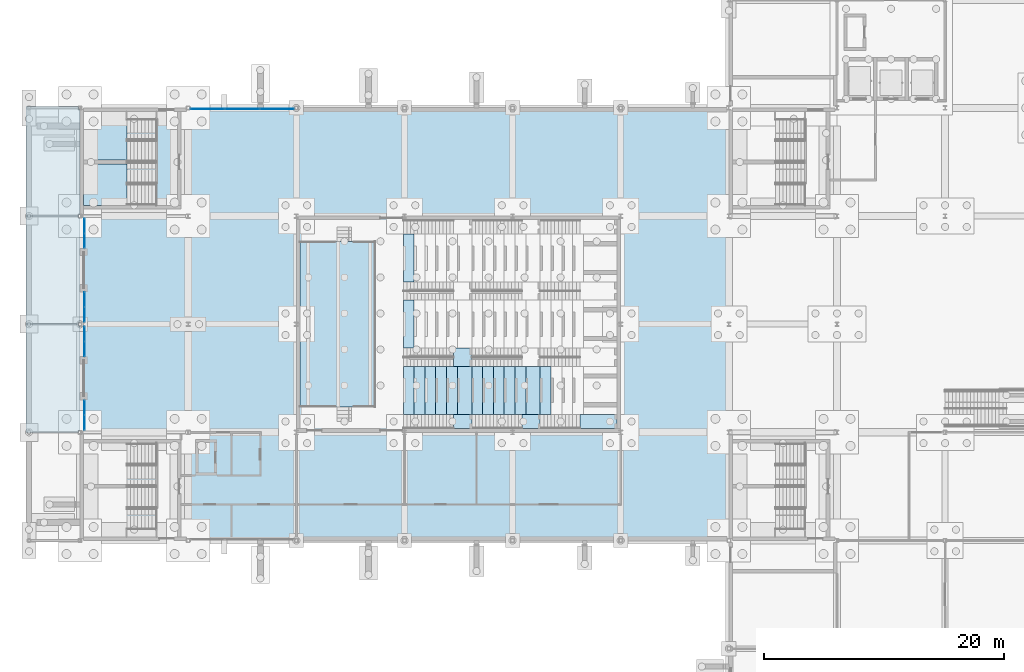
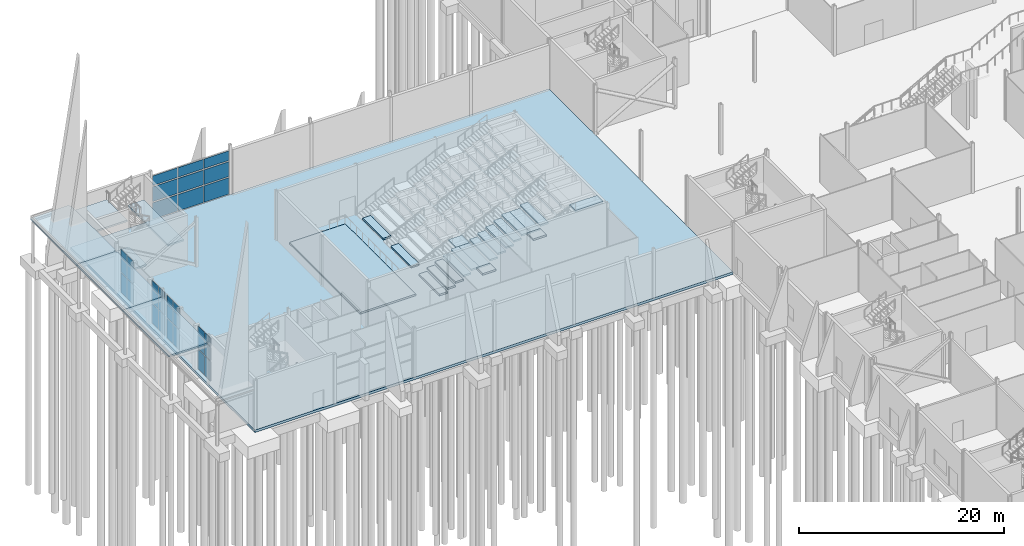
# One storey, part 91 of 139: 33 plates, 27 slabs, 8 elements without a shape of their own.
"""IFC4 building model written with IfcOpenShell, lengths in metres."""

from ifc_helpers import new_model, si_unit, direction, frame, origin, origin_2d, place, context, subcontext, project, spatial, polyline, rectangle, outline, extrude, material, layer, layer_set, type_object, element, aggregate, save


model = new_model("IFC4")

# Units and contexts
model_context = context("Model", 3, precision=1e-05, world=origin(), true_north=direction((0.0, 1.0)))
body_context = subcontext(model_context, "Body", "Model", "MODEL_VIEW")
ifc_project = project(units=[si_unit("LENGTHUNIT", "METRE"), si_unit("AREAUNIT", "SQUARE_METRE"), si_unit("VOLUMEUNIT", "CUBIC_METRE"), si_unit("PLANEANGLEUNIT", "RADIAN"), si_unit("MASSUNIT", "GRAM", prefix="KILO")], contexts=[model_context])

# Site, building, storey
site_placement = place(None, origin())
site = spatial("IfcSite", under=ifc_project, at=site_placement, CompositionType="ELEMENT")
building_placement = place(site_placement, origin())
building = spatial("IfcBuilding", under=site, at=building_placement, Name="Shorebreak Coast Museum", CompositionType="ELEMENT")
storey_placement = place(building_placement, origin())
storey = spatial("IfcBuildingStorey", under=building, at=storey_placement, Name="L00", CompositionType="ELEMENT", Elevation=0.0)

# Stair, slabs
ifc_material_1 = material(Name="Concrete N40 (40 MPa)", Category="concrete")
stair_type_1 = type_object("IfcStairType", Name="Aisle stair 1200", PredefinedType="STRAIGHT_RUN_STAIR", material=ifc_material_1)
stair_1_placement = place(storey_placement, origin())
stair_1 = element("IfcStair", 1, at=stair_1_placement, inside=storey, type_object=stair_type_1, Name="Aisle stair 1", PredefinedType="STRAIGHT_RUN_STAIR")
ifc_material_2 = material(Name="Concrete N40 (40 MPa)", Category="concrete")
ifc_layer_1 = layer(ifc_material_2, 0.199951171875)
ifc_layer_set_1 = layer_set([ifc_layer_1], Name="Concrete N40 (40 MPa)")
slab_type_1 = type_object("IfcSlabType", Name="Aisle landing 200", PredefinedType="LANDING", material=ifc_layer_set_1)
slab_1_placement = place(storey_placement, frame((0.0, 0.0, 1.94287109375)))
slab_1 = element("IfcSlab", 2, at=slab_1_placement, type_object=slab_type_1, Name="STA-1 landing 1", PredefinedType="LANDING", context=body_context, shape_type="SweptSolid", body=[
    extrude(outline(polyline([(31.10009765625, 63.300048828125), (32.60009765625, 63.300048828125), (32.60009765625, 64.5), (31.10009765625, 64.5), (31.10009765625, 63.300048828125)])), origin(), (0.0, 0.0, 1.0), 0.199951171875),
])
slab_2_placement = place(storey_placement, frame((0.0, 0.0, 4.085693359375)))
slab_2 = element("IfcSlab", 3, at=slab_2_placement, type_object=slab_type_1, Name="STA-1 landing 2", PredefinedType="LANDING", context=body_context, shape_type="SweptSolid", body=[
    extrude(outline(polyline([(36.800048828125, 63.300048828125), (38.300048828125, 63.300048828125), (38.300048828125, 64.5), (36.800048828125, 64.5), (36.800048828125, 63.300048828125)])), origin(), (0.0, 0.0, 1.0), 0.199951171875),
])
slab_3_placement = place(storey_placement, frame((0.0, 0.0, 5.800048828125)))
slab_3 = element("IfcSlab", 4, at=slab_3_placement, type_object=slab_type_1, Name="STA-1 landing 3", PredefinedType="LANDING", context=body_context, shape_type="SweptSolid", body=[
    extrude(outline(polyline([(41.60009765625, 63.300048828125), (44.699951171875, 63.300048828125), (44.699951171875, 64.5), (41.60009765625, 64.5), (41.60009765625, 63.300048828125)])), origin(), (0.0, 0.0, 1.0), 0.199951171875),
])
aggregate(stair_1, [slab_1, slab_2, slab_3])

# Stair, slab
ifc_material_3 = material(Name="Concrete N40 (40 MPa)", Category="concrete")
stair_type_2 = type_object("IfcStairType", Name="Aisle stair 1500", PredefinedType="STRAIGHT_RUN_STAIR", material=ifc_material_3)
stair_2_placement = place(storey_placement, origin())
stair_2 = element("IfcStair", 5, at=stair_2_placement, inside=storey, type_object=stair_type_2, Name="Aisle stair 2", PredefinedType="STRAIGHT_RUN_STAIR")
slab_4_placement = place(storey_placement, frame((0.0, 0.0, 1.94287109375)))
slab_4 = element("IfcSlab", 6, at=slab_4_placement, type_object=slab_type_1, Name="STA-2 landing 1", PredefinedType="LANDING", context=body_context, shape_type="SweptSolid", body=[
    extrude(outline(polyline([(31.10009765625, 68.5), (32.60009765625, 68.5), (32.60009765625, 70.0), (31.10009765625, 70.0), (31.10009765625, 68.5)])), origin(), (0.0, 0.0, 1.0), 0.199951171875),
])
aggregate(stair_2, [slab_4])

# Slabs
ifc_material_4 = material(Name="Concrete N50 (50 MPa)", Category="concrete")
ifc_layer_2 = layer(ifc_material_4, 0.199951171875)
ifc_layer_set_2 = layer_set([ifc_layer_2], Name="Concrete N50 (50 MPa)")
slab_type_2 = type_object("IfcSlabType", Name="Arcade roof slab 200 concrete N50", PredefinedType="ROOF", material=ifc_layer_set_2)
slab_5_placement = place(storey_placement, frame((0.0, 0.0, 4.800048828125)))
element("IfcSlab", 7, at=slab_5_placement, inside=storey, type_object=slab_type_2, Name="Arcade roof slab west 2", PredefinedType="ROOF", context=body_context, shape_type="SweptSolid", body=[
    extrude(outline(polyline([(-4.5, 63.0), (-4.5, 72.0), (-0.14990234375, 72.0), (-0.14990234375, 71.85009765625), (0.0, 71.85009765625), (0.0, 63.14990234375), (-0.14990234375, 63.14990234375), (-0.14990234375, 63.0), (-4.5, 63.0)])), origin(), (0.0, 0.0, 1.0), 0.199951171875),
])
slab_6_placement = place(storey_placement, frame((0.0, 0.0, 4.800048828125)))
element("IfcSlab", 8, at=slab_6_placement, inside=storey, type_object=slab_type_2, Name="Arcade roof slab west 3", PredefinedType="ROOF", context=body_context, shape_type="SweptSolid", body=[
    extrude(outline(polyline([(-4.5, 72.0), (-4.5, 81.0), (-0.14990234375, 81.0), (-0.14990234375, 80.85009765625), (0.0, 80.85009765625), (0.0, 72.14990234375), (-0.14990234375, 72.14990234375), (-0.14990234375, 72.0), (-4.5, 72.0)])), origin(), (0.0, 0.0, 1.0), 0.199951171875),
])
slab_7_placement = place(storey_placement, frame((0.0, 0.0, 4.800048828125)))
element("IfcSlab", 9, at=slab_7_placement, inside=storey, type_object=slab_type_2, Name="Arcade roof slab west 4", PredefinedType="ROOF", context=body_context, shape_type="SweptSolid", body=[
    extrude(outline(polyline([(-4.5, 81.0), (-4.5, 90.10009765625), (-0.14990234375, 90.10009765625), (-0.14990234375, 89.85009765625), (0.0, 89.85009765625), (0.0, 81.14990234375), (-0.14990234375, 81.14990234375), (-0.14990234375, 81.0), (-4.5, 81.0)])), origin(), (0.0, 0.0, 1.0), 0.199951171875),
])
ifc_material_5 = material(Name="Concrete N40 (40 MPa)", Category="concrete")
ifc_layer_3 = layer(ifc_material_5, 0.300048828125)
ifc_layer_set_3 = layer_set([ifc_layer_3], Name="Concrete N40 (40 MPa)")
slab_type_3 = type_object("IfcSlabType", Name="Base slab 300 concrete N40", PredefinedType="BASESLAB", material=ifc_layer_set_3)
slab_8_placement = place(storey_placement, frame((0.0, 0.0, -0.300048828125)))
element("IfcSlab", 10, at=slab_8_placement, inside=storey, type_object=slab_type_3, Name="Base slab L00 west arm", PredefinedType="BASESLAB", context=body_context, shape_type="SweptSolid", body=[
    extrude(outline(polyline([(54.0, 54.0), (54.0, 90.0), (0.0, 90.0), (0.0, 54.0), (54.0, 54.0)])), origin(), (0.0, 0.0, 1.0), 0.300048828125),
])
ifc_material_6 = material(Name="Concrete N40 (40 MPa)", Category="concrete")
ifc_layer_4 = layer(ifc_material_6, 0.199951171875)
ifc_layer_set_4 = layer_set([ifc_layer_4], Name="Concrete N40 (40 MPa)")
slab_type_4 = type_object("IfcSlabType", Name="Cross aisle 200", PredefinedType="USERDEFINED", material=ifc_layer_set_4)
slab_9_placement = place(storey_placement, frame((0.0, 0.0, 1.94287109375)))
element("IfcSlab", 11, at=slab_9_placement, inside=storey, type_object=slab_type_4, Name="Cross aisle 1 A", ObjectType="CROSS AISLE", PredefinedType="USERDEFINED", context=body_context, shape_type="SweptSolid", body=[
    extrude(outline(polyline([(31.39990234375, 64.5), (32.60009765625, 64.5), (32.60009765625, 68.5), (31.39990234375, 68.5), (31.39990234375, 64.5)])), origin(), (0.0, 0.0, 1.0), 0.199951171875),
])
slab_10_placement = place(storey_placement, frame((0.0, 0.0, 4.085693359375)))
element("IfcSlab", 12, at=slab_10_placement, inside=storey, type_object=slab_type_4, Name="Cross aisle 2 A", ObjectType="CROSS AISLE", PredefinedType="USERDEFINED", context=body_context, shape_type="SweptSolid", body=[
    extrude(outline(polyline([(37.10009765625, 64.5), (38.300048828125, 64.5), (38.300048828125, 68.5), (37.10009765625, 68.5), (37.10009765625, 64.5)])), origin(), (0.0, 0.0, 1.0), 0.199951171875),
])

# Curtain wall, plates
ifc_material_7 = material(Name="Aluminium", Category="aluminium")
ifc_layer_5 = layer(ifc_material_7, 0.1201171875)
ifc_layer_set_5 = layer_set([ifc_layer_5], Name="Aluminium")
curtain_wall_type_1 = type_object("IfcCurtainWallType", Name="Entrance sidelight curtain wall", PredefinedType="NOTDEFINED", material=ifc_layer_set_5)
curtain_wall_1_placement = place(storey_placement, origin())
curtain_wall_1 = element("IfcCurtainWall", 13, at=curtain_wall_1_placement, inside=storey, type_object=curtain_wall_type_1, Name="Entrance glazing ENT-W 1", PredefinedType="NOTDEFINED")
ifc_material_8 = material(Name="Glass", Category="glass")
ifc_layer_6 = layer(ifc_material_8, 0.028076171875)
ifc_layer_set_6 = layer_set([ifc_layer_6], Name="Glass")
plate_type_1 = type_object("IfcPlateType", Name="Entrance glass panel 28", PredefinedType="CURTAIN_PANEL", material=ifc_layer_set_6)
plate_1_placement = place(storey_placement, frame((0.3583984375, 63.821044921875, 0.1201171875), z_axis=(0.0, 0.0, 1.0), x_axis=(0.0, 1.0, 0.0)))
plate_1 = element("IfcPlate", 14, at=plate_1_placement, type_object=plate_type_1, Name="CW2 panel 1.1", PredefinedType="CURTAIN_PANEL", context=body_context, shape_type="SweptSolid", body=[
    extrude(rectangle(XDim=1.18603515625, YDim=0.028076171875, at=origin_2d()), origin(), (0.0, 0.0, 1.0), 2.320068359375),
])
plate_2_placement = place(storey_placement, frame((0.3583984375, 63.821044921875, 2.56005859375), z_axis=(0.0, 0.0, 1.0), x_axis=(0.0, 1.0, 0.0)))
plate_2 = element("IfcPlate", 15, at=plate_2_placement, type_object=plate_type_1, Name="CW2 panel 1.2", PredefinedType="CURTAIN_PANEL", context=body_context, shape_type="SweptSolid", body=[
    extrude(rectangle(XDim=1.18603515625, YDim=0.028076171875, at=origin_2d()), origin(), (0.0, 0.0, 1.0), 1.580078125),
])
plate_3_placement = place(storey_placement, frame((0.3583984375, 63.821044921875, 4.259765625), z_axis=(0.0, 0.0, 1.0), x_axis=(0.0, 1.0, 0.0)))
plate_3 = element("IfcPlate", 16, at=plate_3_placement, type_object=plate_type_1, Name="CW2 panel 1.3", PredefinedType="CURTAIN_PANEL", context=body_context, shape_type="SweptSolid", body=[
    extrude(rectangle(XDim=1.18603515625, YDim=0.028076171875, at=origin_2d()), origin(), (0.0, 0.0, 1.0), 0.984619140625),
])
plate_4_placement = place(storey_placement, frame((0.3583984375, 65.056884765625, 0.1201171875), z_axis=(0.0, 0.0, 1.0), x_axis=(0.0, 1.0, 0.0)))
plate_4 = element("IfcPlate", 17, at=plate_4_placement, type_object=plate_type_1, Name="CW2 panel 2.1", PredefinedType="CURTAIN_PANEL", context=body_context, shape_type="SweptSolid", body=[
    extrude(rectangle(XDim=1.18603515625, YDim=0.028076171875, at=origin_2d()), origin(), (0.0, 0.0, 1.0), 2.320068359375),
])
plate_5_placement = place(storey_placement, frame((0.3583984375, 65.056884765625, 2.56005859375), z_axis=(0.0, 0.0, 1.0), x_axis=(0.0, 1.0, 0.0)))
plate_5 = element("IfcPlate", 18, at=plate_5_placement, type_object=plate_type_1, Name="CW2 panel 2.2", PredefinedType="CURTAIN_PANEL", context=body_context, shape_type="SweptSolid", body=[
    extrude(rectangle(XDim=1.18603515625, YDim=0.028076171875, at=origin_2d()), origin(), (0.0, 0.0, 1.0), 1.580078125),
])
plate_6_placement = place(storey_placement, frame((0.3583984375, 65.056884765625, 4.259765625), z_axis=(0.0, 0.0, 1.0), x_axis=(0.0, 1.0, 0.0)))
plate_6 = element("IfcPlate", 19, at=plate_6_placement, type_object=plate_type_1, Name="CW2 panel 2.3", PredefinedType="CURTAIN_PANEL", context=body_context, shape_type="SweptSolid", body=[
    extrude(rectangle(XDim=1.18603515625, YDim=0.028076171875, at=origin_2d()), origin(), (0.0, 0.0, 1.0), 0.984619140625),
])
aggregate(curtain_wall_1, [plate_1, plate_2, plate_3, plate_4, plate_5, plate_6])

curtain_wall_2_placement = place(storey_placement, origin())
curtain_wall_2 = element("IfcCurtainWall", 20, at=curtain_wall_2_placement, inside=storey, type_object=curtain_wall_type_1, Name="Entrance glazing ENT-W 2", PredefinedType="NOTDEFINED")
plate_7_placement = place(storey_placement, frame((0.3583984375, 69.949951171875, 0.1201171875), z_axis=(0.0, 0.0, 1.0), x_axis=(0.0, 1.0, 0.0)))
plate_7 = element("IfcPlate", 21, at=plate_7_placement, type_object=plate_type_1, Name="CW1 panel 1.1", PredefinedType="CURTAIN_PANEL", context=body_context, shape_type="SweptSolid", body=[
    extrude(rectangle(XDim=1.199951171875, YDim=0.028076171875, at=origin_2d()), origin(), (0.0, 0.0, 1.0), 2.320068359375),
])
plate_8_placement = place(storey_placement, frame((0.3583984375, 69.949951171875, 2.56005859375), z_axis=(0.0, 0.0, 1.0), x_axis=(0.0, 1.0, 0.0)))
plate_8 = element("IfcPlate", 22, at=plate_8_placement, type_object=plate_type_1, Name="CW1 panel 1.2", PredefinedType="CURTAIN_PANEL", context=body_context, shape_type="SweptSolid", body=[
    extrude(rectangle(XDim=1.199951171875, YDim=0.028076171875, at=origin_2d()), origin(), (0.0, 0.0, 1.0), 1.580078125),
])
plate_9_placement = place(storey_placement, frame((0.3583984375, 69.949951171875, 4.259765625), z_axis=(0.0, 0.0, 1.0), x_axis=(0.0, 1.0, 0.0)))
plate_9 = element("IfcPlate", 23, at=plate_9_placement, type_object=plate_type_1, Name="CW1 panel 1.3", PredefinedType="CURTAIN_PANEL", context=body_context, shape_type="SweptSolid", body=[
    extrude(rectangle(XDim=1.199951171875, YDim=0.028076171875, at=origin_2d()), origin(), (0.0, 0.0, 1.0), 0.984619140625),
])
plate_10_placement = place(storey_placement, frame((0.3583984375, 71.199951171875, 0.1201171875), z_axis=(0.0, 0.0, 1.0), x_axis=(0.0, 1.0, 0.0)))
plate_10 = element("IfcPlate", 24, at=plate_10_placement, type_object=plate_type_1, Name="CW1 panel 2.1", PredefinedType="CURTAIN_PANEL", context=body_context, shape_type="SweptSolid", body=[
    extrude(rectangle(XDim=1.199951171875, YDim=0.028076171875, at=origin_2d()), origin(), (0.0, 0.0, 1.0), 2.320068359375),
])
plate_11_placement = place(storey_placement, frame((0.3583984375, 71.199951171875, 2.56005859375), z_axis=(0.0, 0.0, 1.0), x_axis=(0.0, 1.0, 0.0)))
plate_11 = element("IfcPlate", 25, at=plate_11_placement, type_object=plate_type_1, Name="CW1 panel 2.2", PredefinedType="CURTAIN_PANEL", context=body_context, shape_type="SweptSolid", body=[
    extrude(rectangle(XDim=1.199951171875, YDim=0.028076171875, at=origin_2d()), origin(), (0.0, 0.0, 1.0), 1.580078125),
])
plate_12_placement = place(storey_placement, frame((0.3583984375, 71.199951171875, 4.259765625), z_axis=(0.0, 0.0, 1.0), x_axis=(0.0, 1.0, 0.0)))
plate_12 = element("IfcPlate", 26, at=plate_12_placement, type_object=plate_type_1, Name="CW1 panel 2.3", PredefinedType="CURTAIN_PANEL", context=body_context, shape_type="SweptSolid", body=[
    extrude(rectangle(XDim=1.199951171875, YDim=0.028076171875, at=origin_2d()), origin(), (0.0, 0.0, 1.0), 0.984619140625),
])
aggregate(curtain_wall_2, [plate_7, plate_8, plate_9, plate_10, plate_11, plate_12])

curtain_wall_3_placement = place(storey_placement, origin())
curtain_wall_3 = element("IfcCurtainWall", 27, at=curtain_wall_3_placement, inside=storey, type_object=curtain_wall_type_1, Name="Entrance glazing ENT-W 3", PredefinedType="NOTDEFINED")
plate_13_placement = place(storey_placement, frame((0.3583984375, 72.800048828125, 0.1201171875), z_axis=(0.0, 0.0, 1.0), x_axis=(0.0, 1.0, 0.0)))
plate_13 = element("IfcPlate", 28, at=plate_13_placement, type_object=plate_type_1, Name="CW2 panel 1.1", PredefinedType="CURTAIN_PANEL", context=body_context, shape_type="SweptSolid", body=[
    extrude(rectangle(XDim=1.199951171875, YDim=0.028076171875, at=origin_2d()), origin(), (0.0, 0.0, 1.0), 2.320068359375),
])
plate_14_placement = place(storey_placement, frame((0.3583984375, 72.800048828125, 2.56005859375), z_axis=(0.0, 0.0, 1.0), x_axis=(0.0, 1.0, 0.0)))
plate_14 = element("IfcPlate", 29, at=plate_14_placement, type_object=plate_type_1, Name="CW2 panel 1.2", PredefinedType="CURTAIN_PANEL", context=body_context, shape_type="SweptSolid", body=[
    extrude(rectangle(XDim=1.199951171875, YDim=0.028076171875, at=origin_2d()), origin(), (0.0, 0.0, 1.0), 1.580078125),
])
plate_15_placement = place(storey_placement, frame((0.3583984375, 72.800048828125, 4.259765625), z_axis=(0.0, 0.0, 1.0), x_axis=(0.0, 1.0, 0.0)))
plate_15 = element("IfcPlate", 30, at=plate_15_placement, type_object=plate_type_1, Name="CW2 panel 1.3", PredefinedType="CURTAIN_PANEL", context=body_context, shape_type="SweptSolid", body=[
    extrude(rectangle(XDim=1.199951171875, YDim=0.028076171875, at=origin_2d()), origin(), (0.0, 0.0, 1.0), 0.984619140625),
])
plate_16_placement = place(storey_placement, frame((0.3583984375, 74.050048828125, 0.1201171875), z_axis=(0.0, 0.0, 1.0), x_axis=(0.0, 1.0, 0.0)))
plate_16 = element("IfcPlate", 31, at=plate_16_placement, type_object=plate_type_1, Name="CW2 panel 2.1", PredefinedType="CURTAIN_PANEL", context=body_context, shape_type="SweptSolid", body=[
    extrude(rectangle(XDim=1.199951171875, YDim=0.028076171875, at=origin_2d()), origin(), (0.0, 0.0, 1.0), 2.320068359375),
])
plate_17_placement = place(storey_placement, frame((0.3583984375, 74.050048828125, 2.56005859375), z_axis=(0.0, 0.0, 1.0), x_axis=(0.0, 1.0, 0.0)))
plate_17 = element("IfcPlate", 32, at=plate_17_placement, type_object=plate_type_1, Name="CW2 panel 2.2", PredefinedType="CURTAIN_PANEL", context=body_context, shape_type="SweptSolid", body=[
    extrude(rectangle(XDim=1.199951171875, YDim=0.028076171875, at=origin_2d()), origin(), (0.0, 0.0, 1.0), 1.580078125),
])
plate_18_placement = place(storey_placement, frame((0.3583984375, 74.050048828125, 4.259765625), z_axis=(0.0, 0.0, 1.0), x_axis=(0.0, 1.0, 0.0)))
plate_18 = element("IfcPlate", 33, at=plate_18_placement, type_object=plate_type_1, Name="CW2 panel 2.3", PredefinedType="CURTAIN_PANEL", context=body_context, shape_type="SweptSolid", body=[
    extrude(rectangle(XDim=1.199951171875, YDim=0.028076171875, at=origin_2d()), origin(), (0.0, 0.0, 1.0), 0.984619140625),
])
aggregate(curtain_wall_3, [plate_13, plate_14, plate_15, plate_16, plate_17, plate_18])

curtain_wall_4_placement = place(storey_placement, origin())
curtain_wall_4 = element("IfcCurtainWall", 34, at=curtain_wall_4_placement, inside=storey, type_object=curtain_wall_type_1, Name="Entrance glazing ENT-W 4", PredefinedType="NOTDEFINED")
plate_19_placement = place(storey_placement, frame((0.3583984375, 78.943115234375, 0.1201171875), z_axis=(0.0, 0.0, 1.0), x_axis=(0.0, 1.0, 0.0)))
plate_19 = element("IfcPlate", 35, at=plate_19_placement, type_object=plate_type_1, Name="CW1 panel 1.1", PredefinedType="CURTAIN_PANEL", context=body_context, shape_type="SweptSolid", body=[
    extrude(rectangle(XDim=1.18603515625, YDim=0.028076171875, at=origin_2d()), origin(), (0.0, 0.0, 1.0), 2.320068359375),
])
plate_20_placement = place(storey_placement, frame((0.3583984375, 78.943115234375, 2.56005859375), z_axis=(0.0, 0.0, 1.0), x_axis=(0.0, 1.0, 0.0)))
plate_20 = element("IfcPlate", 36, at=plate_20_placement, type_object=plate_type_1, Name="CW1 panel 1.2", PredefinedType="CURTAIN_PANEL", context=body_context, shape_type="SweptSolid", body=[
    extrude(rectangle(XDim=1.18603515625, YDim=0.028076171875, at=origin_2d()), origin(), (0.0, 0.0, 1.0), 1.580078125),
])
plate_21_placement = place(storey_placement, frame((0.3583984375, 78.943115234375, 4.259765625), z_axis=(0.0, 0.0, 1.0), x_axis=(0.0, 1.0, 0.0)))
plate_21 = element("IfcPlate", 37, at=plate_21_placement, type_object=plate_type_1, Name="CW1 panel 1.3", PredefinedType="CURTAIN_PANEL", context=body_context, shape_type="SweptSolid", body=[
    extrude(rectangle(XDim=1.18603515625, YDim=0.028076171875, at=origin_2d()), origin(), (0.0, 0.0, 1.0), 0.984619140625),
])
plate_22_placement = place(storey_placement, frame((0.3583984375, 80.178955078125, 0.1201171875), z_axis=(0.0, 0.0, 1.0), x_axis=(0.0, 1.0, 0.0)))
plate_22 = element("IfcPlate", 38, at=plate_22_placement, type_object=plate_type_1, Name="CW1 panel 2.1", PredefinedType="CURTAIN_PANEL", context=body_context, shape_type="SweptSolid", body=[
    extrude(rectangle(XDim=1.18603515625, YDim=0.028076171875, at=origin_2d()), origin(), (0.0, 0.0, 1.0), 2.320068359375),
])
plate_23_placement = place(storey_placement, frame((0.3583984375, 80.178955078125, 2.56005859375), z_axis=(0.0, 0.0, 1.0), x_axis=(0.0, 1.0, 0.0)))
plate_23 = element("IfcPlate", 39, at=plate_23_placement, type_object=plate_type_1, Name="CW1 panel 2.2", PredefinedType="CURTAIN_PANEL", context=body_context, shape_type="SweptSolid", body=[
    extrude(rectangle(XDim=1.18603515625, YDim=0.028076171875, at=origin_2d()), origin(), (0.0, 0.0, 1.0), 1.580078125),
])
plate_24_placement = place(storey_placement, frame((0.3583984375, 80.178955078125, 4.259765625), z_axis=(0.0, 0.0, 1.0), x_axis=(0.0, 1.0, 0.0)))
plate_24 = element("IfcPlate", 40, at=plate_24_placement, type_object=plate_type_1, Name="CW1 panel 2.3", PredefinedType="CURTAIN_PANEL", context=body_context, shape_type="SweptSolid", body=[
    extrude(rectangle(XDim=1.18603515625, YDim=0.028076171875, at=origin_2d()), origin(), (0.0, 0.0, 1.0), 0.984619140625),
])
aggregate(curtain_wall_4, [plate_19, plate_20, plate_21, plate_22, plate_23, plate_24])

# Slabs
ifc_material_9 = material(Name="Concrete N40 (40 MPa)", Category="concrete")
ifc_layer_7 = layer(ifc_material_9, 0.199951171875)
ifc_layer_set_7 = layer_set([ifc_layer_7], Name="Concrete N40 (40 MPa)")
slab_type_5 = type_object("IfcSlabType", Name="Seating tier 200", PredefinedType="USERDEFINED", material=ifc_layer_set_7)
slab_11_placement = place(storey_placement, frame((0.0, 0.0, 0.228515625)))
element("IfcSlab", 41, at=slab_11_placement, inside=storey, type_object=slab_type_5, Name="Stand 1 A", ObjectType="SEATING TIER", PredefinedType="USERDEFINED", context=body_context, shape_type="SweptSolid", body=[
    extrude(outline(polyline([(26.89990234375, 64.5), (27.800048828125, 64.5), (27.800048828125, 68.5), (26.89990234375, 68.5), (26.89990234375, 64.5)])), origin(), (0.0, 0.0, 1.0), 0.2001953125),
])
slab_12_placement = place(storey_placement, frame((0.0, 0.0, 0.228515625)))
element("IfcSlab", 42, at=slab_12_placement, inside=storey, type_object=slab_type_5, Name="Stand 1 B", ObjectType="SEATING TIER", PredefinedType="USERDEFINED", context=body_context, shape_type="SweptSolid", body=[
    extrude(outline(polyline([(26.89990234375, 70.0), (27.800048828125, 70.0), (27.800048828125, 74.0), (26.89990234375, 74.0), (26.89990234375, 70.0)])), origin(), (0.0, 0.0, 1.0), 0.2001953125),
])
slab_13_placement = place(storey_placement, frame((0.0, 0.0, 0.228515625)))
element("IfcSlab", 43, at=slab_13_placement, inside=storey, type_object=slab_type_5, Name="Stand 1 C", ObjectType="SEATING TIER", PredefinedType="USERDEFINED", context=body_context, shape_type="SweptSolid", body=[
    extrude(outline(polyline([(26.89990234375, 75.5), (27.800048828125, 75.5), (27.800048828125, 79.5), (26.89990234375, 79.5), (26.89990234375, 75.5)])), origin(), (0.0, 0.0, 1.0), 0.2001953125),
])
slab_14_placement = place(storey_placement, frame((0.0, 0.0, 0.656982421875)))
element("IfcSlab", 44, at=slab_14_placement, inside=storey, type_object=slab_type_5, Name="Stand 2 A", ObjectType="SEATING TIER", PredefinedType="USERDEFINED", context=body_context, shape_type="SweptSolid", body=[
    extrude(outline(polyline([(27.800048828125, 64.5), (28.699951171875, 64.5), (28.699951171875, 68.5), (27.800048828125, 68.5), (27.800048828125, 64.5)])), origin(), (0.0, 0.0, 1.0), 0.2001953125),
])
slab_15_placement = place(storey_placement, frame((0.0, 0.0, 1.085693359375)))
element("IfcSlab", 45, at=slab_15_placement, inside=storey, type_object=slab_type_5, Name="Stand 3 A", ObjectType="SEATING TIER", PredefinedType="USERDEFINED", context=body_context, shape_type="SweptSolid", body=[
    extrude(outline(polyline([(28.699951171875, 64.5), (29.60009765625, 64.5), (29.60009765625, 68.5), (28.699951171875, 68.5), (28.699951171875, 64.5)])), origin(), (0.0, 0.0, 1.0), 0.199951171875),
])
slab_16_placement = place(storey_placement, frame((0.0, 0.0, 1.514404296875)))
element("IfcSlab", 46, at=slab_16_placement, inside=storey, type_object=slab_type_5, Name="Stand 4 A", ObjectType="SEATING TIER", PredefinedType="USERDEFINED", context=body_context, shape_type="SweptSolid", body=[
    extrude(outline(polyline([(29.60009765625, 64.5), (30.5, 64.5), (30.5, 68.5), (29.60009765625, 68.5), (29.60009765625, 64.5)])), origin(), (0.0, 0.0, 1.0), 0.199951171875),
])
slab_17_placement = place(storey_placement, frame((0.0, 0.0, 1.94287109375)))
element("IfcSlab", 47, at=slab_17_placement, inside=storey, type_object=slab_type_5, Name="Stand 5 A", ObjectType="SEATING TIER", PredefinedType="USERDEFINED", context=body_context, shape_type="SweptSolid", body=[
    extrude(outline(polyline([(30.5, 64.5), (31.39990234375, 64.5), (31.39990234375, 68.5), (30.5, 68.5), (30.5, 64.5)])), origin(), (0.0, 0.0, 1.0), 0.199951171875),
])
slab_18_placement = place(storey_placement, frame((0.0, 0.0, 2.371337890625)))
element("IfcSlab", 48, at=slab_18_placement, inside=storey, type_object=slab_type_5, Name="Stand 6 A", ObjectType="SEATING TIER", PredefinedType="USERDEFINED", context=body_context, shape_type="SweptSolid", body=[
    extrude(outline(polyline([(32.60009765625, 64.5), (33.5, 64.5), (33.5, 68.5), (32.60009765625, 68.5), (32.60009765625, 64.5)])), origin(), (0.0, 0.0, 1.0), 0.199951171875),
])
slab_19_placement = place(storey_placement, frame((0.0, 0.0, 2.800048828125)))
element("IfcSlab", 49, at=slab_19_placement, inside=storey, type_object=slab_type_5, Name="Stand 7 A", ObjectType="SEATING TIER", PredefinedType="USERDEFINED", context=body_context, shape_type="SweptSolid", body=[
    extrude(outline(polyline([(33.5, 64.5), (34.39990234375, 64.5), (34.39990234375, 68.5), (33.5, 68.5), (33.5, 64.5)])), origin(), (0.0, 0.0, 1.0), 0.199951171875),
])
slab_20_placement = place(storey_placement, frame((0.0, 0.0, 3.228515625)))
element("IfcSlab", 50, at=slab_20_placement, inside=storey, type_object=slab_type_5, Name="Stand 8 A", ObjectType="SEATING TIER", PredefinedType="USERDEFINED", context=body_context, shape_type="SweptSolid", body=[
    extrude(outline(polyline([(34.39990234375, 64.5), (35.300048828125, 64.5), (35.300048828125, 68.5), (34.39990234375, 68.5), (34.39990234375, 64.5)])), origin(), (0.0, 0.0, 1.0), 0.2001953125),
])
slab_21_placement = place(storey_placement, frame((0.0, 0.0, 3.656982421875)))
element("IfcSlab", 51, at=slab_21_placement, inside=storey, type_object=slab_type_5, Name="Stand 9 A", ObjectType="SEATING TIER", PredefinedType="USERDEFINED", context=body_context, shape_type="SweptSolid", body=[
    extrude(outline(polyline([(35.300048828125, 64.5), (36.199951171875, 64.5), (36.199951171875, 68.5), (35.300048828125, 68.5), (35.300048828125, 64.5)])), origin(), (0.0, 0.0, 1.0), 0.2001953125),
])
slab_22_placement = place(storey_placement, frame((0.0, 0.0, 4.085693359375)))
element("IfcSlab", 52, at=slab_22_placement, inside=storey, type_object=slab_type_5, Name="Stand 10 A", ObjectType="SEATING TIER", PredefinedType="USERDEFINED", context=body_context, shape_type="SweptSolid", body=[
    extrude(outline(polyline([(36.199951171875, 64.5), (37.10009765625, 64.5), (37.10009765625, 68.5), (36.199951171875, 68.5), (36.199951171875, 64.5)])), origin(), (0.0, 0.0, 1.0), 0.199951171875),
])
slab_23_placement = place(storey_placement, frame((0.0, 0.0, 4.514404296875)))
element("IfcSlab", 53, at=slab_23_placement, inside=storey, type_object=slab_type_5, Name="Stand 11 A", ObjectType="SEATING TIER", PredefinedType="USERDEFINED", context=body_context, shape_type="SweptSolid", body=[
    extrude(outline(polyline([(38.300048828125, 64.5), (39.199951171875, 64.5), (39.199951171875, 68.5), (38.300048828125, 68.5), (38.300048828125, 64.5)])), origin(), (0.0, 0.0, 1.0), 0.199951171875),
])
ifc_material_10 = material(Name="Concrete N40 (40 MPa)", Category="concrete")
ifc_layer_8 = layer(ifc_material_10, 0.199951171875)
ifc_layer_set_8 = layer_set([ifc_layer_8], Name="Concrete N40 (40 MPa)")
slab_type_6 = type_object("IfcSlabType", Name="Stage platform 200", PredefinedType="USERDEFINED", material=ifc_layer_set_8)
slab_24_placement = place(storey_placement, frame((0.0, 0.0, 0.699951171875)))
element("IfcSlab", 54, at=slab_24_placement, inside=storey, type_object=slab_type_6, Name="Stage platform", ObjectType="STAGE PLATFORM", PredefinedType="USERDEFINED", context=body_context, shape_type="SweptSolid", body=[
    extrude(outline(polyline([(18.300048828125, 65.10009765625), (24.60009765625, 65.10009765625), (24.60009765625, 78.89990234375), (18.300048828125, 78.89990234375), (18.300048828125, 65.10009765625)])), origin(), (0.0, 0.0, 1.0), 0.199951171875),
])

# Stair, slabs
ifc_material_11 = material(Name="Concrete N40 (40 MPa)", Category="concrete")
stair_type_3 = type_object("IfcStairType", Name="Stair run 6 m", PredefinedType="DOUBLE_RETURN_STAIR", material=ifc_material_11)
stair_3_placement = place(storey_placement, origin())
stair_3 = element("IfcStair", 55, at=stair_3_placement, inside=storey, type_object=stair_type_3, Name="Exit stair ST06-L00", PredefinedType="DOUBLE_RETURN_STAIR")
ifc_material_12 = material(Name="Concrete N40 (40 MPa)", Category="concrete")
ifc_layer_9 = layer(ifc_material_12, 0.199951171875)
ifc_layer_set_9 = layer_set([ifc_layer_9], Name="Concrete N40 (40 MPa)")
slab_type_7 = type_object("IfcSlabType", Name="Stair landing 200", PredefinedType="LANDING", material=ifc_layer_set_9)
slab_25_placement = place(storey_placement, frame((0.0, 0.0, 2.800048828125)))
slab_25 = element("IfcSlab", 56, at=slab_25_placement, type_object=slab_type_7, Name="ST06-L00 landing 1", PredefinedType="LANDING", context=body_context, shape_type="SweptSolid", body=[
    extrude(outline(polyline([(6.300048828125, 81.89990234375), (8.10009765625, 81.89990234375), (8.10009765625, 89.699951171875), (6.300048828125, 89.699951171875), (6.300048828125, 81.89990234375)])), origin(), (0.0, 0.0, 1.0), 0.199951171875),
])
slab_26_placement = place(storey_placement, frame((0.0, 0.0, 1.300048828125)))
slab_26 = element("IfcSlab", 57, at=slab_26_placement, type_object=slab_type_7, Name="ST06-L00 landing 2", PredefinedType="LANDING", context=body_context, shape_type="SweptSolid", body=[
    extrude(outline(polyline([(0.300048828125, 81.89990234375), (3.89990234375, 81.89990234375), (3.89990234375, 85.35009765625), (0.300048828125, 85.35009765625), (0.300048828125, 81.89990234375)])), origin(), (0.0, 0.0, 1.0), 0.199951171875),
])
slab_27_placement = place(storey_placement, frame((0.0, 0.0, 4.300048828125)))
slab_27 = element("IfcSlab", 58, at=slab_27_placement, type_object=slab_type_7, Name="ST06-L00 landing 3", PredefinedType="LANDING", context=body_context, shape_type="SweptSolid", body=[
    extrude(outline(polyline([(0.300048828125, 85.64990234375), (3.89990234375, 85.64990234375), (3.89990234375, 89.699951171875), (0.300048828125, 89.699951171875), (0.300048828125, 85.64990234375)])), origin(), (0.0, 0.0, 1.0), 0.199951171875),
])
aggregate(stair_3, [slab_25, slab_26, slab_27])

# Curtain wall, plates
ifc_material_13 = material(Name="Aluminium", Category="aluminium")
ifc_layer_10 = layer(ifc_material_13, 0.14990234375)
ifc_layer_set_10 = layer_set([ifc_layer_10], Name="Aluminium")
curtain_wall_type_2 = type_object("IfcCurtainWallType", Name="Storefront curtain wall", PredefinedType="NOTDEFINED", material=ifc_layer_set_10)
curtain_wall_5_placement = place(storey_placement, origin())
curtain_wall_5 = element("IfcCurtainWall", 59, at=curtain_wall_5_placement, inside=storey, type_object=curtain_wall_type_2, Name="Storefront L00 N 1", PredefinedType="NOTDEFINED")
ifc_material_14 = material(Name="Glass", Category="glass")
ifc_layer_11 = layer(ifc_material_14, 0.031982421875)
ifc_layer_set_11 = layer_set([ifc_layer_11], Name="Glass")
plate_type_2 = type_object("IfcPlateType", Name="Storefront glass panel 32", PredefinedType="CURTAIN_PANEL", material=ifc_layer_set_11)
plate_25_placement = place(storey_placement, frame((10.612548828125, 89.925048828125, 0.14990234375), z_axis=(0.0, 0.0, 1.0), x_axis=(1.0, 0.0, 0.0)))
plate_25 = element("IfcPlate", 60, at=plate_25_placement, type_object=plate_type_2, Name="CW8 panel 1.1", PredefinedType="CURTAIN_PANEL", context=body_context, shape_type="SweptSolid", body=[
    extrude(rectangle(XDim=2.824951171875, YDim=0.031982421875, at=origin_2d()), origin(), (0.0, 0.0, 1.0), 1.962890625),
])
plate_26_placement = place(storey_placement, frame((10.612548828125, 89.925048828125, 2.262939453125), z_axis=(0.0, 0.0, 1.0), x_axis=(1.0, 0.0, 0.0)))
plate_26 = element("IfcPlate", 61, at=plate_26_placement, type_object=plate_type_2, Name="CW8 panel 1.2", PredefinedType="CURTAIN_PANEL", context=body_context, shape_type="SweptSolid", body=[
    extrude(rectangle(XDim=2.824951171875, YDim=0.031982421875, at=origin_2d()), origin(), (0.0, 0.0, 1.0), 1.76416015625),
])
plate_27_placement = place(storey_placement, frame((10.612548828125, 89.925048828125, 4.17724609375), z_axis=(0.0, 0.0, 1.0), x_axis=(1.0, 0.0, 0.0)))
plate_27 = element("IfcPlate", 62, at=plate_27_placement, type_object=plate_type_2, Name="CW8 panel 1.3", PredefinedType="CURTAIN_PANEL", context=body_context, shape_type="SweptSolid", body=[
    extrude(rectangle(XDim=2.824951171875, YDim=0.031982421875, at=origin_2d()), origin(), (0.0, 0.0, 1.0), 1.142333984375),
])
plate_28_placement = place(storey_placement, frame((13.5, 89.925048828125, 0.14990234375), z_axis=(0.0, 0.0, 1.0), x_axis=(1.0, 0.0, 0.0)))
plate_28 = element("IfcPlate", 63, at=plate_28_placement, type_object=plate_type_2, Name="CW8 panel 2.1", PredefinedType="CURTAIN_PANEL", context=body_context, shape_type="SweptSolid", body=[
    extrude(rectangle(XDim=2.85009765625, YDim=0.031982421875, at=origin_2d()), origin(), (0.0, 0.0, 1.0), 1.962890625),
])
plate_29_placement = place(storey_placement, frame((13.5, 89.925048828125, 2.262939453125), z_axis=(0.0, 0.0, 1.0), x_axis=(1.0, 0.0, 0.0)))
plate_29 = element("IfcPlate", 64, at=plate_29_placement, type_object=plate_type_2, Name="CW8 panel 2.2", PredefinedType="CURTAIN_PANEL", context=body_context, shape_type="SweptSolid", body=[
    extrude(rectangle(XDim=2.85009765625, YDim=0.031982421875, at=origin_2d()), origin(), (0.0, 0.0, 1.0), 1.76416015625),
])
plate_30_placement = place(storey_placement, frame((13.5, 89.925048828125, 4.17724609375), z_axis=(0.0, 0.0, 1.0), x_axis=(1.0, 0.0, 0.0)))
plate_30 = element("IfcPlate", 65, at=plate_30_placement, type_object=plate_type_2, Name="CW8 panel 2.3", PredefinedType="CURTAIN_PANEL", context=body_context, shape_type="SweptSolid", body=[
    extrude(rectangle(XDim=2.85009765625, YDim=0.031982421875, at=origin_2d()), origin(), (0.0, 0.0, 1.0), 1.142333984375),
])
plate_31_placement = place(storey_placement, frame((16.387451171875, 89.925048828125, 0.14990234375), z_axis=(0.0, 0.0, 1.0), x_axis=(1.0, 0.0, 0.0)))
plate_31 = element("IfcPlate", 66, at=plate_31_placement, type_object=plate_type_2, Name="CW8 panel 3.1", PredefinedType="CURTAIN_PANEL", context=body_context, shape_type="SweptSolid", body=[
    extrude(rectangle(XDim=2.824951171875, YDim=0.031982421875, at=origin_2d()), origin(), (0.0, 0.0, 1.0), 1.962890625),
])
plate_32_placement = place(storey_placement, frame((16.387451171875, 89.925048828125, 2.262939453125), z_axis=(0.0, 0.0, 1.0), x_axis=(1.0, 0.0, 0.0)))
plate_32 = element("IfcPlate", 67, at=plate_32_placement, type_object=plate_type_2, Name="CW8 panel 3.2", PredefinedType="CURTAIN_PANEL", context=body_context, shape_type="SweptSolid", body=[
    extrude(rectangle(XDim=2.824951171875, YDim=0.031982421875, at=origin_2d()), origin(), (0.0, 0.0, 1.0), 1.76416015625),
])
plate_33_placement = place(storey_placement, frame((16.387451171875, 89.925048828125, 4.17724609375), z_axis=(0.0, 0.0, 1.0), x_axis=(1.0, 0.0, 0.0)))
plate_33 = element("IfcPlate", 68, at=plate_33_placement, type_object=plate_type_2, Name="CW8 panel 3.3", PredefinedType="CURTAIN_PANEL", context=body_context, shape_type="SweptSolid", body=[
    extrude(rectangle(XDim=2.824951171875, YDim=0.031982421875, at=origin_2d()), origin(), (0.0, 0.0, 1.0), 1.142333984375),
])
aggregate(curtain_wall_5, [plate_25, plate_26, plate_27, plate_28, plate_29, plate_30, plate_31, plate_32, plate_33])

save(model, "model.ifc")
